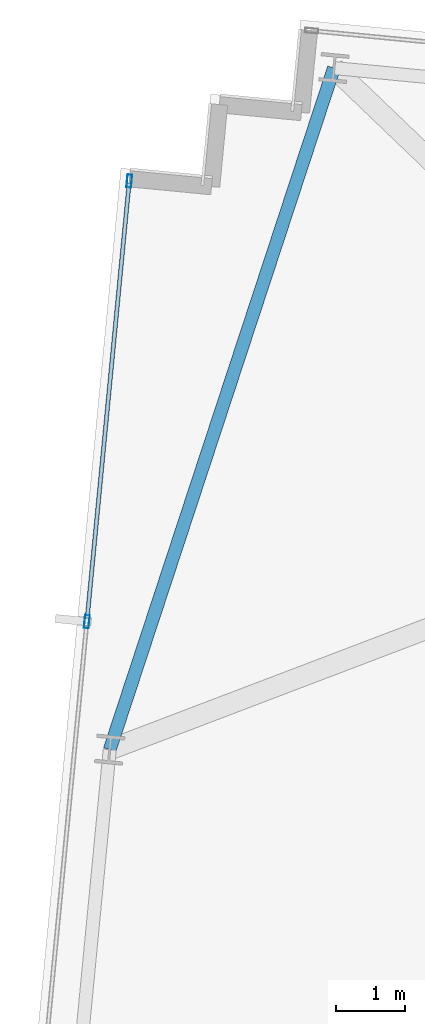
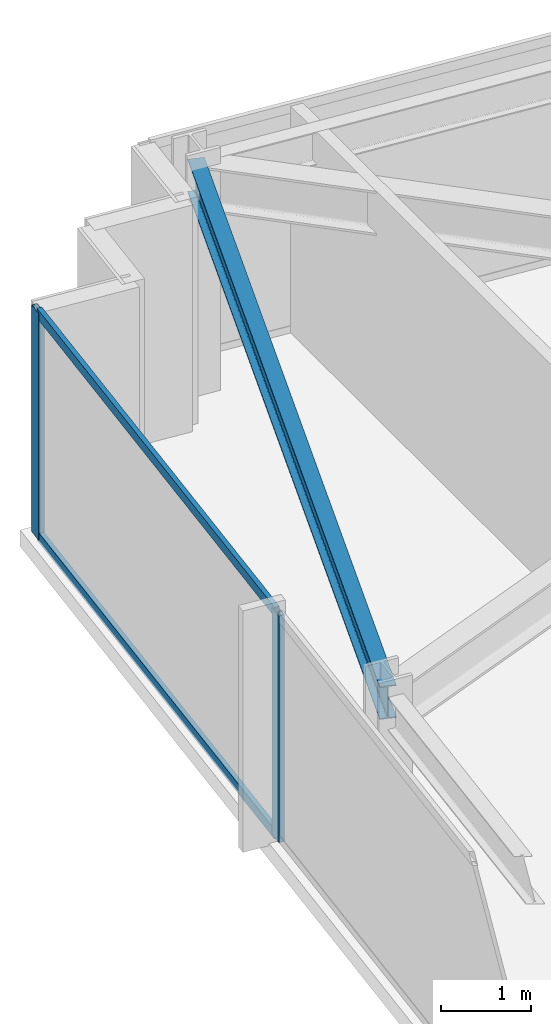
# One storey, part 21 of 38: 4 members, 1 beam, 1 element without a shape of its own.
"""IFC4 building model written with IfcOpenShell, lengths in metres."""

import ifcopenshell
import ifcopenshell.guid

model = None  # the IFC model being written
_history = None  # IfcOwnerHistory: only IFC2X3 demands one
_inside = {}  # id of a spatial element -> (the spatial element, [elements in it])
_under = {}  # id of a project, library or spatial element -> (it, [spatial elements below it])
_declared = {}  # id of a project -> (the project, [libraries it declares])
_typed = {}  # id of a type object -> (the type object, [elements of that type])
_made_of = {}  # id of a material, layer set ... -> (it, [elements and type objects made of it])


def new_model(schema):
    """Start an empty IFC model of exactly this schema.

    Asked for "IFC4X3", IfcOpenShell would pick the latest addendum, in which some entities
    have other attributes; the version numbers below select the first issue.
    IFC2X3 requires an IfcOwnerHistory on every rooted entity: one is made here for all.
    """
    global model, _history
    if schema == "IFC4X3":
        model = ifcopenshell.file(schema_version=(4, 3, 0, 0))
    else:
        model = ifcopenshell.file(schema=schema)
    _inside.clear()
    _under.clear()
    _declared.clear()
    _typed.clear()
    _made_of.clear()
    _history = None
    if model.schema == "IFC2X3":
        org = make("IfcOrganization", Name="unknown")
        user = make(
            "IfcPersonAndOrganization",
            ThePerson=make("IfcPerson", FamilyName="unknown"),
            TheOrganization=org,
        )
        app = make(
            "IfcApplication",
            ApplicationDeveloper=org,
            Version="unknown",
            ApplicationFullName="unknown",
            ApplicationIdentifier="unknown",
        )
        _history = make(
            "IfcOwnerHistory",
            OwningUser=user,
            OwningApplication=app,
            ChangeAction="ADDED",
            CreationDate=0,
        )
    return model


def make(cls, **values):
    """One entity of the class cls with the attributes given. An attribute that is None is left unset."""
    return model.create_entity(
        cls, **{name: value for name, value in values.items() if value is not None}
    )


def rooted(cls, **values):
    """An entity with a GlobalId (a new one), such as an element, a storey or a relation."""
    return make(cls, GlobalId=ifcopenshell.guid.new(), OwnerHistory=_history, **values)


def si_unit(unit_type, name, prefix=None):
    """IfcSIUnit, for example si_unit("LENGTHUNIT", "METRE", prefix="MILLI")."""
    return make("IfcSIUnit", UnitType=unit_type, Prefix=prefix, Name=name)


def assignment(units):
    """IfcUnitAssignment: the units of a project."""
    return None if units is None else make("IfcUnitAssignment", Units=units)


def point(xyz):
    """IfcCartesianPoint."""
    return None if xyz is None else make("IfcCartesianPoint", Coordinates=xyz)


def direction(xyz):
    """IfcDirection."""
    return None if xyz is None else make("IfcDirection", DirectionRatios=xyz)


def frame(location, z_axis=None, x_axis=None):
    """IfcAxis2Placement3D, a coordinate frame: its origin and axes. An axis left out is left unset."""
    return make(
        "IfcAxis2Placement3D",
        Location=point(location),
        Axis=direction(z_axis),
        RefDirection=direction(x_axis),
    )


def frame_2d(location, x_axis=None):
    """IfcAxis2Placement2D, a coordinate frame in the plane: its origin and x axis."""
    return make(
        "IfcAxis2Placement2D", Location=point(location), RefDirection=direction(x_axis)
    )


def origin():
    """The frame at (0, 0, 0) with its axes left unset."""
    return frame((0.0, 0.0, 0.0))


def origin_2d():
    """The frame at (0, 0) in the plane with its x axis left unset."""
    return frame_2d((0.0, 0.0))


def place(relative_to, where):
    """IfcLocalPlacement: puts the frame where relative to a parent placement (None: the world)."""
    return make(
        "IfcLocalPlacement", PlacementRelTo=relative_to, RelativePlacement=where
    )


def context(
    kind, dimensions, precision=None, world=None, true_north=None, identifier=None
):
    """IfcGeometricRepresentationContext, for example the 3D "Model" context."""
    return make(
        "IfcGeometricRepresentationContext",
        ContextIdentifier=identifier,
        ContextType=kind,
        CoordinateSpaceDimension=dimensions,
        Precision=precision,
        WorldCoordinateSystem=world,
        TrueNorth=true_north,
    )


def subcontext(parent, identifier, kind, view, scale=None):
    """IfcGeometricRepresentationSubContext, for example "Body" below "Model"."""
    return make(
        "IfcGeometricRepresentationSubContext",
        ContextIdentifier=identifier,
        ContextType=kind,
        ParentContext=parent,
        TargetScale=scale,
        TargetView=view,
    )


def project(units=None, contexts=None):
    """IfcProject with its units and contexts."""
    return rooted(
        "IfcProject",
        Name="project",
        RepresentationContexts=contexts,
        UnitsInContext=assignment(units),
    )


def spatial(cls, under=None, at=None, **own):
    """A site, building, storey or space (cls), placed at a placement, below another one or the project."""
    s = rooted(cls, ObjectPlacement=at, **own)
    if under is not None:
        _under.setdefault(under.id(), (under, []))[1].append(s)
    return s


def profile(cls, at=None, kind="AREA", **sizes):
    """A parametric profile (cls). Its sizes go by their IFC names, for example OverallWidth=200.0."""
    return make(cls, ProfileType=kind, Position=at, **sizes)


def hollow_rectangle(**sizes):
    """IfcRectangleHollowProfileDef."""
    return profile("IfcRectangleHollowProfileDef", **sizes)


def i_section(**sizes):
    """IfcIShapeProfileDef."""
    return profile("IfcIShapeProfileDef", **sizes)


def extrude(swept, where, along, depth):
    """IfcExtrudedAreaSolid: the profile swept, set in the frame where, extruded along a direction by depth."""
    return make(
        "IfcExtrudedAreaSolid",
        SweptArea=swept,
        Position=where,
        ExtrudedDirection=direction(along),
        Depth=depth,
    )


def shape(context_of_items, identifier, shape_type, items):
    """IfcShapeRepresentation: the items that make up one representation, for example the "Body"."""
    return make(
        "IfcShapeRepresentation",
        ContextOfItems=context_of_items,
        RepresentationIdentifier=identifier,
        RepresentationType=shape_type,
        Items=items,
    )


def material(Name=None, Category=None):
    """IfcMaterial."""
    return make("IfcMaterial", Name=Name, Category=Category)


def material_profile(
    of_material, cross_section, Name=None, Category=None, Priority=None
):
    """IfcMaterialProfile: a cross section and its material."""
    return make(
        "IfcMaterialProfile",
        Name=Name,
        Material=of_material,
        Profile=cross_section,
        Priority=Priority,
        Category=Category,
    )


def profile_set(profiles, Name=None, composite=None):
    """IfcMaterialProfileSet."""
    return make(
        "IfcMaterialProfileSet",
        Name=Name,
        MaterialProfiles=profiles,
        CompositeProfile=composite,
    )


def made_of(thing, what):
    """Note that an element or type object is made of a material, layer set ...; save() writes the relation."""
    if what is not None:
        _made_of.setdefault(what.id(), (what, []))[1].append(thing)
    return thing


def type_object(cls, material=None, **own):
    """A type object (cls), such as IfcWallType, which elements share."""
    return made_of(rooted(cls, **own), material)


def element(
    cls,
    number,
    at=None,
    inside=None,
    cuts=None,
    type_object=None,
    material=None,
    context=None,
    identifier="Body",
    shape_type=None,
    held_by="IfcProductDefinitionShape",
    body=None,
    shapes=None,
    **own,
):
    """One element of the class cls, such as IfcWall. Its Tag is "e" and its number.

    at: its placement. inside: the storey or other place that contains it. cuts: it is an
    opening in that element (IfcRelVoidsElement). A single representation is given by context,
    identifier, shape_type and body (its items); several are given by shapes. held_by: the class
    of the entity that holds the representations. save() writes the other relations.
    """
    e = rooted(cls, Tag="e%d" % number, ObjectPlacement=at, **own)
    if body is not None:
        shapes = [shape(context, identifier, shape_type, body)]
    if shapes is not None:
        e.Representation = make(held_by, Representations=shapes)
    if inside is not None:
        _inside.setdefault(inside.id(), (inside, []))[1].append(e)
    if cuts is not None:
        rooted(
            "IfcRelVoidsElement", RelatingBuildingElement=cuts, RelatedOpeningElement=e
        )
    if type_object is not None:
        _typed.setdefault(type_object.id(), (type_object, []))[1].append(e)
    return made_of(e, material)


def aggregate(whole, parts):
    """IfcRelAggregates: a whole, such as a stair, and the parts it consists of."""
    return rooted("IfcRelAggregates", RelatingObject=whole, RelatedObjects=parts)


def save(model, path):
    """Write the relations noted so far, then the file.

    IfcRelAggregates (storeys below a building ...), IfcRelContainedInSpatialStructure (elements
    in a storey), IfcRelDefinesByType, IfcRelAssociatesMaterial and IfcRelDeclares: one each for
    every whole, place, type object, material and project.
    """
    for whole, parts in _under.values():
        aggregate(whole, parts)
    for where, things in _inside.values():
        rooted(
            "IfcRelContainedInSpatialStructure",
            RelatedElements=things,
            RelatingStructure=where,
        )
    for kind, things in _typed.values():
        rooted("IfcRelDefinesByType", RelatedObjects=things, RelatingType=kind)
    for what, things in _made_of.values():
        rooted("IfcRelAssociatesMaterial", RelatedObjects=things, RelatingMaterial=what)
    for by, libraries in _declared.values():
        rooted("IfcRelDeclares", RelatingContext=by, RelatedDefinitions=libraries)
    model.write(path)


model = new_model("IFC4")

# Units and contexts
model_context = context("Model", 3, precision=1e-05, world=origin(), true_north=direction((0.0, 1.0)))
body_context = subcontext(model_context, "Body", "Model", "MODEL_VIEW")
ifc_project = project(units=[si_unit("LENGTHUNIT", "METRE"), si_unit("AREAUNIT", "SQUARE_METRE"), si_unit("VOLUMEUNIT", "CUBIC_METRE"), si_unit("PLANEANGLEUNIT", "RADIAN"), si_unit("MASSUNIT", "GRAM", prefix="KILO")], contexts=[model_context])

# Site, building, storey
site_placement = place(None, origin())
site = spatial("IfcSite", under=ifc_project, at=site_placement, CompositionType="ELEMENT")
building_placement = place(site_placement, origin())
building = spatial("IfcBuilding", under=site, at=building_placement, Name="Yelkora Congress Tower", CompositionType="ELEMENT")
storey_placement = place(building_placement, frame((0.0, 0.0, 155.60009765625)))
storey = spatial("IfcBuildingStorey", under=building, at=storey_placement, Name="L42", CompositionType="ELEMENT", Elevation=155.60009765625)

# Beam
ifc_material_1 = material(Name="Steel S355J2", Category="steel")
ifc_material_profile_1 = material_profile(ifc_material_1, i_section(OverallWidth=0.18994140625, OverallDepth=0.449951171875, WebThickness=0.009521484375, FlangeThickness=0.0146484375, FilletRadius=0.02099609375, at=origin_2d()), Name="IPE 450")
ifc_profile_set_1 = profile_set([ifc_material_profile_1], Name="Steel S355J2")
beam_type = type_object("IfcBeamType", Name="BM-SPAN-IPE450", PredefinedType="SPANDREL", material=ifc_profile_set_1)
beam_placement = place(storey_placement, frame((7.388916015625, 50.390625, 2.85498046875), z_axis=(-0.312456737339, -0.949931990877, 0.0), x_axis=(0.949931990877, -0.312456737339, 0.0)))
element("IfcBeam", 1, at=beam_placement, inside=storey, type_object=beam_type, Name="L42 Perimeter Beam 16", PredefinedType="SPANDREL", context=body_context, shape_type="SweptSolid", body=[
    extrude(i_section(OverallWidth=0.18994140625, OverallDepth=0.449951171875, WebThickness=0.009521484375, FlangeThickness=0.0146484375, FilletRadius=0.02099609375, at=origin_2d()), origin(), (0.0, 0.0, 1.0), 10.4560546875),
])

# Curtain wall, members
ifc_material_2 = material(Name="Anodised aluminium and insulated glass", Category="aluminium")
curtain_wall_type = type_object("IfcCurtainWallType", Name="CW-SYS-B3", PredefinedType="NOTDEFINED", material=ifc_material_2)
curtain_wall_placement = place(storey_placement, origin())
curtain_wall = element("IfcCurtainWall", 2, at=curtain_wall_placement, inside=storey, type_object=curtain_wall_type, Name="L42 Unitised Curtain Wall 5", PredefinedType="NOTDEFINED")
ifc_material_3 = material(Name="Anodised aluminium 6063-T6", Category="aluminium")
ifc_material_profile_2 = material_profile(ifc_material_3, hollow_rectangle(XDim=0.070068359375, YDim=0.18994140625, WallThickness=0.00390625, at=origin_2d()), Name="ALU 70x190x4")
ifc_profile_set_2 = profile_set([ifc_material_profile_2], Name="Anodised aluminium 6063-T6")
member_type_1 = type_object("IfcMemberType", Name="MEM-ML-B3", PredefinedType="MULLION", material=ifc_profile_set_2)
member_1_placement = place(storey_placement, frame((3.7890625, 42.324462890625, 0.0), z_axis=(0.0, 0.0, 1.0), x_axis=(-0.995396242473, 0.095845294465, 0.0)))
member_1 = element("IfcMember", 3, at=member_1_placement, type_object=member_type_1, Name="CW-B3 mullion 5", PredefinedType="MULLION", context=body_context, shape_type="SweptSolid", body=[
    extrude(hollow_rectangle(XDim=0.070068359375, YDim=0.18994140625, WallThickness=0.00390625, at=origin_2d()), origin(), (0.0, 0.0, 1.0), 3.079833984375),
])
member_2_placement = place(storey_placement, frame((4.4072265625, 48.74365234375, 0.0), z_axis=(0.0, 0.0, 1.0), x_axis=(-0.995396242473, 0.095845294465, 0.0)))
member_2 = element("IfcMember", 4, at=member_2_placement, type_object=member_type_1, Name="CW-B3 mullion 6", PredefinedType="MULLION", context=body_context, shape_type="SweptSolid", body=[
    extrude(hollow_rectangle(XDim=0.070068359375, YDim=0.18994140625, WallThickness=0.00390625, at=origin_2d()), origin(), (0.0, 0.0, 1.0), 3.079833984375),
])
ifc_material_profile_3 = material_profile(ifc_material_3, hollow_rectangle(XDim=0.06005859375, YDim=0.1298828125, WallThickness=0.00390625, at=origin_2d()), Name="ALU 60x130x4")
ifc_profile_set_3 = profile_set([ifc_material_profile_3], Name="Anodised aluminium 6063-T6")
member_type_2 = type_object("IfcMemberType", Name="MEM-TR-B3", PredefinedType="USERDEFINED", material=ifc_profile_set_3)
member_3_placement = place(storey_placement, frame((3.79248046875, 42.359375, 0.02978515625), z_axis=(0.095834923543, 0.99539724102, 0.0), x_axis=(-0.99539724102, 0.095834923543, 0.0)))
member_3 = element("IfcMember", 5, at=member_3_placement, type_object=member_type_2, Name="CW-B3 transom 5.1", ObjectType="TRANSOM", PredefinedType="USERDEFINED", context=body_context, shape_type="SweptSolid", body=[
    extrude(hollow_rectangle(XDim=0.06005859375, YDim=0.1298828125, WallThickness=0.00390625, at=origin_2d()), origin(), (0.0, 0.0, 1.0), 6.37890625),
])
member_4_placement = place(storey_placement, frame((3.79248046875, 42.359375, 3.0498046875), z_axis=(0.095834923543, 0.99539724102, 0.0), x_axis=(-0.99539724102, 0.095834923543, 0.0)))
member_4 = element("IfcMember", 6, at=member_4_placement, type_object=member_type_2, Name="CW-B3 transom 5.2", ObjectType="TRANSOM", PredefinedType="USERDEFINED", context=body_context, shape_type="SweptSolid", body=[
    extrude(hollow_rectangle(XDim=0.06005859375, YDim=0.1298828125, WallThickness=0.00390625, at=origin_2d()), origin(), (0.0, 0.0, 1.0), 6.37890625),
])
aggregate(curtain_wall, [member_1, member_2, member_3, member_4])

save(model, "model.ifc")
